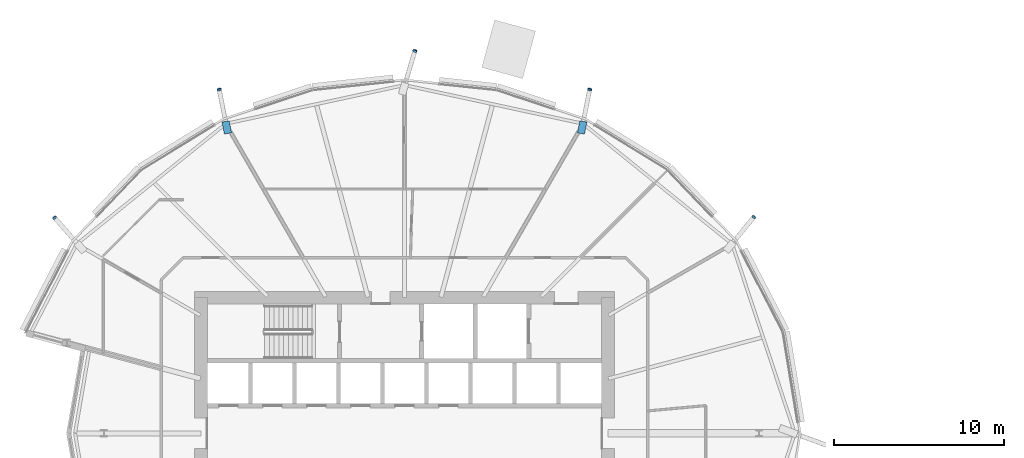
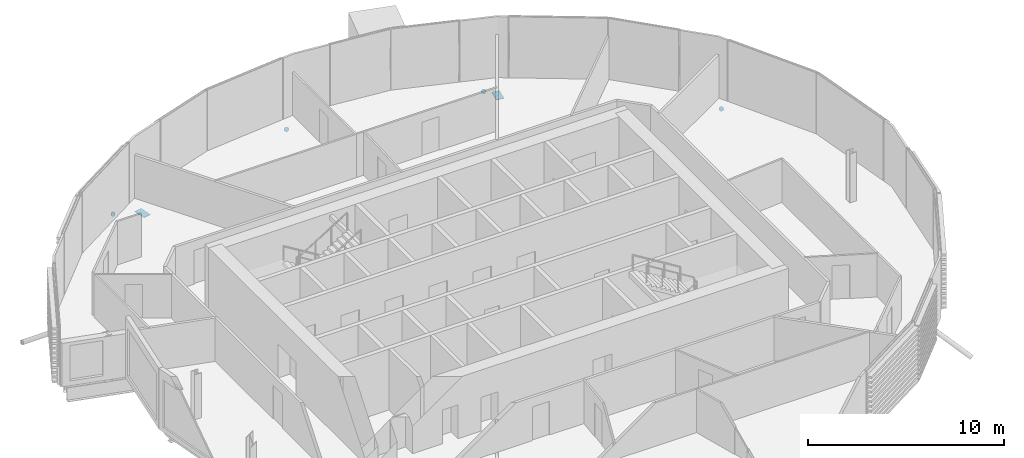
# One storey, part 30 of 38: 7 discrete accessories.
"""IFC4 building model written with IfcOpenShell, lengths in metres."""

import ifcopenshell
import ifcopenshell.guid

model = None  # the IFC model being written
_history = None  # IfcOwnerHistory: only IFC2X3 demands one
_inside = {}  # id of a spatial element -> (the spatial element, [elements in it])
_under = {}  # id of a project, library or spatial element -> (it, [spatial elements below it])
_declared = {}  # id of a project -> (the project, [libraries it declares])
_typed = {}  # id of a type object -> (the type object, [elements of that type])
_made_of = {}  # id of a material, layer set ... -> (it, [elements and type objects made of it])


def new_model(schema):
    """Start an empty IFC model of exactly this schema.

    Asked for "IFC4X3", IfcOpenShell would pick the latest addendum, in which some entities
    have other attributes; the version numbers below select the first issue.
    IFC2X3 requires an IfcOwnerHistory on every rooted entity: one is made here for all.
    """
    global model, _history
    if schema == "IFC4X3":
        model = ifcopenshell.file(schema_version=(4, 3, 0, 0))
    else:
        model = ifcopenshell.file(schema=schema)
    _inside.clear()
    _under.clear()
    _declared.clear()
    _typed.clear()
    _made_of.clear()
    _history = None
    if model.schema == "IFC2X3":
        org = make("IfcOrganization", Name="unknown")
        user = make(
            "IfcPersonAndOrganization",
            ThePerson=make("IfcPerson", FamilyName="unknown"),
            TheOrganization=org,
        )
        app = make(
            "IfcApplication",
            ApplicationDeveloper=org,
            Version="unknown",
            ApplicationFullName="unknown",
            ApplicationIdentifier="unknown",
        )
        _history = make(
            "IfcOwnerHistory",
            OwningUser=user,
            OwningApplication=app,
            ChangeAction="ADDED",
            CreationDate=0,
        )
    return model


def make(cls, **values):
    """One entity of the class cls with the attributes given. An attribute that is None is left unset."""
    return model.create_entity(
        cls, **{name: value for name, value in values.items() if value is not None}
    )


def rooted(cls, **values):
    """An entity with a GlobalId (a new one), such as an element, a storey or a relation."""
    return make(cls, GlobalId=ifcopenshell.guid.new(), OwnerHistory=_history, **values)


def si_unit(unit_type, name, prefix=None):
    """IfcSIUnit, for example si_unit("LENGTHUNIT", "METRE", prefix="MILLI")."""
    return make("IfcSIUnit", UnitType=unit_type, Prefix=prefix, Name=name)


def assignment(units):
    """IfcUnitAssignment: the units of a project."""
    return None if units is None else make("IfcUnitAssignment", Units=units)


def point(xyz):
    """IfcCartesianPoint."""
    return None if xyz is None else make("IfcCartesianPoint", Coordinates=xyz)


def direction(xyz):
    """IfcDirection."""
    return None if xyz is None else make("IfcDirection", DirectionRatios=xyz)


def frame(location, z_axis=None, x_axis=None):
    """IfcAxis2Placement3D, a coordinate frame: its origin and axes. An axis left out is left unset."""
    return make(
        "IfcAxis2Placement3D",
        Location=point(location),
        Axis=direction(z_axis),
        RefDirection=direction(x_axis),
    )


def frame_2d(location, x_axis=None):
    """IfcAxis2Placement2D, a coordinate frame in the plane: its origin and x axis."""
    return make(
        "IfcAxis2Placement2D", Location=point(location), RefDirection=direction(x_axis)
    )


def origin():
    """The frame at (0, 0, 0) with its axes left unset."""
    return frame((0.0, 0.0, 0.0))


def origin_2d():
    """The frame at (0, 0) in the plane with its x axis left unset."""
    return frame_2d((0.0, 0.0))


def place(relative_to, where):
    """IfcLocalPlacement: puts the frame where relative to a parent placement (None: the world)."""
    return make(
        "IfcLocalPlacement", PlacementRelTo=relative_to, RelativePlacement=where
    )


def context(
    kind, dimensions, precision=None, world=None, true_north=None, identifier=None
):
    """IfcGeometricRepresentationContext, for example the 3D "Model" context."""
    return make(
        "IfcGeometricRepresentationContext",
        ContextIdentifier=identifier,
        ContextType=kind,
        CoordinateSpaceDimension=dimensions,
        Precision=precision,
        WorldCoordinateSystem=world,
        TrueNorth=true_north,
    )


def subcontext(parent, identifier, kind, view, scale=None):
    """IfcGeometricRepresentationSubContext, for example "Body" below "Model"."""
    return make(
        "IfcGeometricRepresentationSubContext",
        ContextIdentifier=identifier,
        ContextType=kind,
        ParentContext=parent,
        TargetScale=scale,
        TargetView=view,
    )


def project(units=None, contexts=None):
    """IfcProject with its units and contexts."""
    return rooted(
        "IfcProject",
        Name="project",
        RepresentationContexts=contexts,
        UnitsInContext=assignment(units),
    )


def spatial(cls, under=None, at=None, **own):
    """A site, building, storey or space (cls), placed at a placement, below another one or the project."""
    s = rooted(cls, ObjectPlacement=at, **own)
    if under is not None:
        _under.setdefault(under.id(), (under, []))[1].append(s)
    return s


def polyline(points):
    """IfcPolyline through the points."""
    return make("IfcPolyline", Points=[point(p) for p in points])


def profile(cls, at=None, kind="AREA", **sizes):
    """A parametric profile (cls). Its sizes go by their IFC names, for example OverallWidth=200.0."""
    return make(cls, ProfileType=kind, Position=at, **sizes)


def rectangle(**sizes):
    """IfcRectangleProfileDef."""
    return profile("IfcRectangleProfileDef", **sizes)


def circle(**sizes):
    """IfcCircleProfileDef."""
    return profile("IfcCircleProfileDef", **sizes)


def outline(outer, holes=None, kind="AREA"):
    """IfcArbitraryClosedProfileDef: a profile drawn as a closed curve; with holes, ...WithVoids."""
    if holes is None:
        return make("IfcArbitraryClosedProfileDef", ProfileType=kind, OuterCurve=outer)
    return make(
        "IfcArbitraryProfileDefWithVoids",
        ProfileType=kind,
        OuterCurve=outer,
        InnerCurves=holes,
    )


def extrude(swept, where, along, depth):
    """IfcExtrudedAreaSolid: the profile swept, set in the frame where, extruded along a direction by depth."""
    return make(
        "IfcExtrudedAreaSolid",
        SweptArea=swept,
        Position=where,
        ExtrudedDirection=direction(along),
        Depth=depth,
    )


def shape(context_of_items, identifier, shape_type, items):
    """IfcShapeRepresentation: the items that make up one representation, for example the "Body"."""
    return make(
        "IfcShapeRepresentation",
        ContextOfItems=context_of_items,
        RepresentationIdentifier=identifier,
        RepresentationType=shape_type,
        Items=items,
    )


def material(Name=None, Category=None):
    """IfcMaterial."""
    return make("IfcMaterial", Name=Name, Category=Category)


def material_profile(
    of_material, cross_section, Name=None, Category=None, Priority=None
):
    """IfcMaterialProfile: a cross section and its material."""
    return make(
        "IfcMaterialProfile",
        Name=Name,
        Material=of_material,
        Profile=cross_section,
        Priority=Priority,
        Category=Category,
    )


def profile_set(profiles, Name=None, composite=None):
    """IfcMaterialProfileSet."""
    return make(
        "IfcMaterialProfileSet",
        Name=Name,
        MaterialProfiles=profiles,
        CompositeProfile=composite,
    )


def made_of(thing, what):
    """Note that an element or type object is made of a material, layer set ...; save() writes the relation."""
    if what is not None:
        _made_of.setdefault(what.id(), (what, []))[1].append(thing)
    return thing


def type_object(cls, material=None, **own):
    """A type object (cls), such as IfcWallType, which elements share."""
    return made_of(rooted(cls, **own), material)


def element(
    cls,
    number,
    at=None,
    inside=None,
    cuts=None,
    type_object=None,
    material=None,
    context=None,
    identifier="Body",
    shape_type=None,
    held_by="IfcProductDefinitionShape",
    body=None,
    shapes=None,
    **own,
):
    """One element of the class cls, such as IfcWall. Its Tag is "e" and its number.

    at: its placement. inside: the storey or other place that contains it. cuts: it is an
    opening in that element (IfcRelVoidsElement). A single representation is given by context,
    identifier, shape_type and body (its items); several are given by shapes. held_by: the class
    of the entity that holds the representations. save() writes the other relations.
    """
    e = rooted(cls, Tag="e%d" % number, ObjectPlacement=at, **own)
    if body is not None:
        shapes = [shape(context, identifier, shape_type, body)]
    if shapes is not None:
        e.Representation = make(held_by, Representations=shapes)
    if inside is not None:
        _inside.setdefault(inside.id(), (inside, []))[1].append(e)
    if cuts is not None:
        rooted(
            "IfcRelVoidsElement", RelatingBuildingElement=cuts, RelatedOpeningElement=e
        )
    if type_object is not None:
        _typed.setdefault(type_object.id(), (type_object, []))[1].append(e)
    return made_of(e, material)


def aggregate(whole, parts):
    """IfcRelAggregates: a whole, such as a stair, and the parts it consists of."""
    return rooted("IfcRelAggregates", RelatingObject=whole, RelatedObjects=parts)


def save(model, path):
    """Write the relations noted so far, then the file.

    IfcRelAggregates (storeys below a building ...), IfcRelContainedInSpatialStructure (elements
    in a storey), IfcRelDefinesByType, IfcRelAssociatesMaterial and IfcRelDeclares: one each for
    every whole, place, type object, material and project.
    """
    for whole, parts in _under.values():
        aggregate(whole, parts)
    for where, things in _inside.values():
        rooted(
            "IfcRelContainedInSpatialStructure",
            RelatedElements=things,
            RelatingStructure=where,
        )
    for kind, things in _typed.values():
        rooted("IfcRelDefinesByType", RelatedObjects=things, RelatingType=kind)
    for what, things in _made_of.values():
        rooted("IfcRelAssociatesMaterial", RelatedObjects=things, RelatingMaterial=what)
    for by, libraries in _declared.values():
        rooted("IfcRelDeclares", RelatingContext=by, RelatedDefinitions=libraries)
    model.write(path)


model = new_model("IFC4")

# Units and contexts
model_context = context("Model", 3, precision=1e-05, world=origin(), true_north=direction((0.0, 1.0)))
body_context = subcontext(model_context, "Body", "Model", "MODEL_VIEW")
ifc_project = project(units=[si_unit("LENGTHUNIT", "METRE"), si_unit("AREAUNIT", "SQUARE_METRE"), si_unit("VOLUMEUNIT", "CUBIC_METRE"), si_unit("PLANEANGLEUNIT", "RADIAN"), si_unit("MASSUNIT", "GRAM", prefix="KILO")], contexts=[model_context])

# Site, building, storey
site_placement = place(None, origin())
site = spatial("IfcSite", under=ifc_project, at=site_placement, CompositionType="ELEMENT")
building_placement = place(site_placement, origin())
building = spatial("IfcBuilding", under=site, at=building_placement, Name="Rimbun Link Towers", CompositionType="ELEMENT")
storey_placement = place(building_placement, frame((0.0, 0.0, 108.199951171875)))
storey = spatial("IfcBuildingStorey", under=building, at=storey_placement, Name="L26", CompositionType="ELEMENT", Elevation=108.199951171875)

# Discrete accessories
ifc_material_1 = material(Name="Steel S355J2H", Category="steel")
ifc_material_profile_1 = material_profile(ifc_material_1, circle(Radius=0.1240234375, at=origin_2d()), Name="PL D248")
ifc_profile_set_1 = profile_set([ifc_material_profile_1], Name="Steel S355J2H")
discrete_accessory_type_1 = type_object("IfcDiscreteAccessoryType", Name="Link foot sealing plate D248X20", PredefinedType="BRACKET", material=ifc_profile_set_1)
for number, where, z_axis, x_axis, name in (
    (1, (-11.14990234375, 12.7421875, -1.94873046875), (0.549557479085, 0.659468974903, -0.512920313813), (-0.768221279597, 0.640184399664, 0.0), "Link foot sealing plate T1 L26 02"),
    (2, (-20.8251953125, 20.26708984375, -2.03662109375), (0.171088300858, 0.855441504291, -0.488823716738), (-0.980580675691, 0.196116135138, 0.0), "Link foot sealing plate T1 L26 04"),
    (3, (-31.135986328125, 22.5478515625, -2.17333984375), (0.255679628323, 0.827914986949, -0.499184036249), (-0.955474691182, 0.295073066394, 0.0), "Link foot sealing plate T1 L26 06"),
    (4, (-42.6748046875, 20.26708984375, -2.03662109375), (-0.171088300858, 0.855441504291, -0.488823716738), (-0.980580675691, -0.196116135138, 0.0), "Link foot sealing plate T1 L26 08"),
    (5, (-52.376220703125, 12.70751953125, -2.037353515625), (-0.558901448954, 0.643951669447, -0.522451354457), (-0.755218729872, -0.655472859889, 0.0), "Link foot sealing plate T1 L26 10"),
):
    element("IfcDiscreteAccessory", number, at=place(storey_placement, frame(where, z_axis=z_axis, x_axis=x_axis)), inside=storey, type_object=discrete_accessory_type_1, Name=name, PredefinedType="BRACKET", context=body_context, shape_type="SweptSolid", body=[
        extrude(circle(Radius=0.1240234375, at=origin_2d()), origin(), (0.0, 0.0, 1.0), 0.02001953125),
    ])
ifc_material_2 = material(Name="Steel S355J2H", Category="steel")
ifc_material_profile_2 = material_profile(ifc_material_2, rectangle(XDim=0.43310546875, YDim=0.43310546875, at=origin_2d()), Name="PL 433x433")
ifc_profile_set_2 = profile_set([ifc_material_profile_2], Name="Steel S355J2H")
discrete_accessory_type_2 = type_object("IfcDiscreteAccessoryType", Name="Link head end plate 433X20", PredefinedType="BRACKET", material=ifc_profile_set_2)
discrete_accessory_1_placement = place(storey_placement, frame((0.0, 0.0, -0.782470703125)))
element("IfcDiscreteAccessory", 6, at=discrete_accessory_1_placement, inside=storey, type_object=discrete_accessory_type_2, Name="Link head end plate T1 L26 04", PredefinedType="BRACKET", context=body_context, shape_type="SweptSolid", body=[
    extrude(outline(polyline([(-21.12841796875, 17.638916015625), (-20.986572265625, 18.35009765625), (-21.4111328125, 18.434814453125), (-21.552978515625, 17.7236328125), (-21.12841796875, 17.638916015625)])), origin(), (0.0, 0.0, 1.0), 0.02001953125),
])
discrete_accessory_2_placement = place(storey_placement, frame((0.0, 0.0, -0.782470703125)))
element("IfcDiscreteAccessory", 7, at=discrete_accessory_2_placement, inside=storey, type_object=discrete_accessory_type_2, Name="Link head end plate T1 L26 08", PredefinedType="BRACKET", context=body_context, shape_type="SweptSolid", body=[
    extrude(outline(polyline([(-41.947021484375, 17.7236328125), (-42.0888671875, 18.434814453125), (-42.513427734375, 18.35009765625), (-42.37158203125, 17.638916015625), (-41.947021484375, 17.7236328125)])), origin(), (0.0, 0.0, 1.0), 0.02001953125),
])

save(model, "model.ifc")
